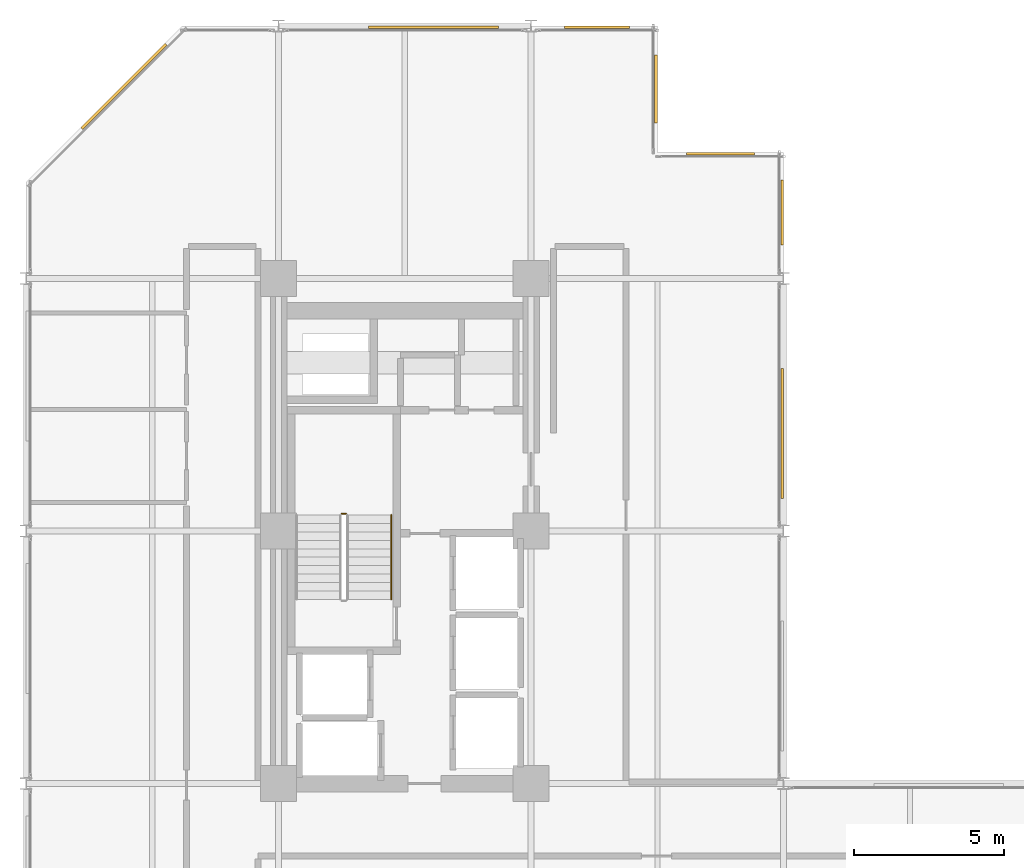
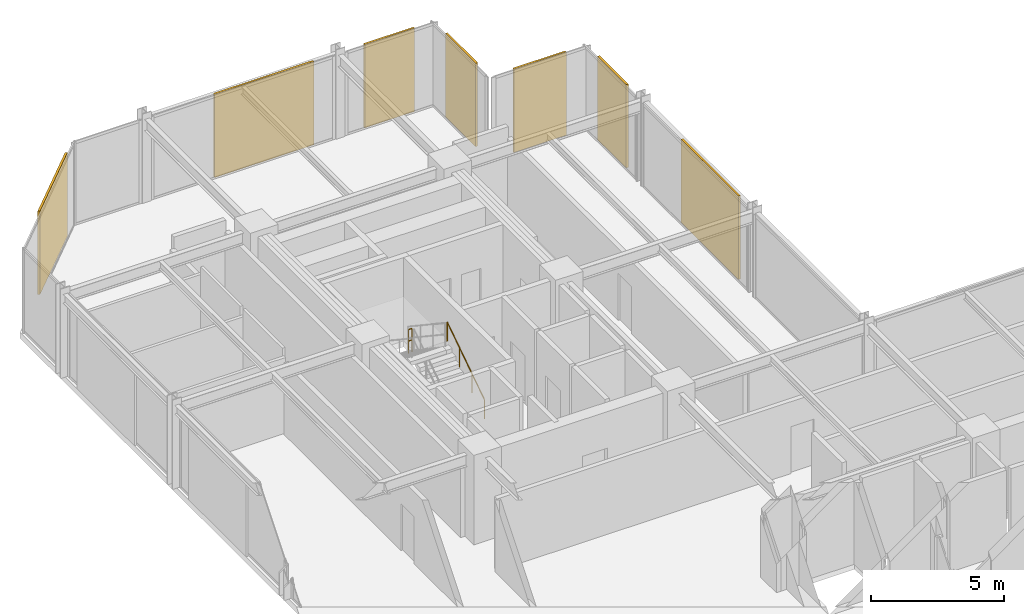
# One storey, part 38 of 38: 7 coverings, 2 railings.
"""IFC4 building model written with IfcOpenShell, lengths in metres."""

from ifc_helpers import new_model, si_unit, direction, frame, origin, origin_2d, place, context, subcontext, project, spatial, rectangle, circle, extrude, material, layer, layer_set, type_object, element, save


model = new_model("IFC4")

# Units and contexts
model_context = context("Model", 3, precision=1e-05, world=origin(), true_north=direction((0.0, 1.0)))
body_context = subcontext(model_context, "Body", "Model", "MODEL_VIEW")
ifc_project = project(units=[si_unit("LENGTHUNIT", "METRE"), si_unit("AREAUNIT", "SQUARE_METRE"), si_unit("VOLUMEUNIT", "CUBIC_METRE"), si_unit("PLANEANGLEUNIT", "RADIAN"), si_unit("MASSUNIT", "GRAM", prefix="KILO")], contexts=[model_context])

# Site, building, storey
site_placement = place(None, origin())
site = spatial("IfcSite", under=ifc_project, at=site_placement, CompositionType="ELEMENT")
building_placement = place(site_placement, origin())
building = spatial("IfcBuilding", under=site, at=building_placement, Name="Nerrivon Quay Data Exchange", CompositionType="ELEMENT")
storey_placement = place(building_placement, frame((0.0, 0.0, 100.800048828125)))
storey = spatial("IfcBuildingStorey", under=building, at=storey_placement, Name="L23", CompositionType="ELEMENT", Elevation=100.800048828125)

# Coverings
ifc_material_1 = material(Name="Architectural terracotta ceramic", Category="masonry")
ifc_layer = layer(ifc_material_1, 0.090087890625)
ifc_layer_set = layer_set([ifc_layer], Name="Architectural terracotta ceramic")
covering_type = type_object("IfcCoveringType", Name="COV-SCR-TERR", PredefinedType="CLADDING", material=ifc_layer_set)
covering_1_placement = place(storey_placement, frame((3.255859375, 48.39208984375, 0.0), z_axis=(0.0, 0.0, 1.0), x_axis=(0.707106781187, 0.707106781187, 0.0)))
element("IfcCovering", 1, at=covering_1_placement, inside=storey, type_object=covering_type, Name="L23 Perforated Terracotta SOLAR SCREEN Cassette", PredefinedType="CLADDING", context=body_context, shape_type="SweptSolid", body=[
    extrude(rectangle(XDim=3.970947265625, YDim=0.090087890625, at=origin_2d()), origin(), (0.0, 0.0, 1.0), 3.824951171875),
])
covering_2_placement = place(storey_placement, frame((13.56005859375, 50.35498046875, 0.0), z_axis=(0.0, 0.0, 1.0), x_axis=(1.0, 0.0, 0.0)))
element("IfcCovering", 2, at=covering_2_placement, inside=storey, type_object=covering_type, Name="L23 Perforated Terracotta SOLAR SCREEN Cassette", PredefinedType="CLADDING", context=body_context, shape_type="SweptSolid", body=[
    extrude(rectangle(XDim=4.320068359375, YDim=0.090087890625, at=origin_2d()), origin(), (0.0, 0.0, 1.0), 3.824951171875),
])
covering_3_placement = place(storey_placement, frame((19.0, 50.35498046875, 0.0), z_axis=(0.0, 0.0, 1.0), x_axis=(1.0, 0.0, 0.0)))
element("IfcCovering", 3, at=covering_3_placement, inside=storey, type_object=covering_type, Name="L23 Perforated Terracotta SOLAR SCREEN Cassette", PredefinedType="CLADDING", context=body_context, shape_type="SweptSolid", body=[
    extrude(rectangle(XDim=2.159912109375, YDim=0.090087890625, at=origin_2d()), origin(), (0.0, 0.0, 1.0), 3.824951171875),
])
for number, where, z_axis, x_axis, name in (
    (4, (20.955078125, 48.300048828125, 0.0), (0.0, 0.0, 1.0), (0.0, -1.0, 0.0), "L23 Perforated Terracotta SOLAR SCREEN Cassette"),
    (5, (23.10009765625, 46.155029296875, 0.0), (0.0, 0.0, 1.0), (1.0, 0.0, 0.0), "L23 Perforated Terracotta SOLAR SCREEN Cassette"),
):
    element("IfcCovering", number, at=place(storey_placement, frame(where, z_axis=z_axis, x_axis=x_axis)), inside=storey, type_object=covering_type, Name=name, PredefinedType="CLADDING", context=body_context, shape_type="SweptSolid", body=[
        extrude(rectangle(XDim=2.26806640625, YDim=0.090087890625, at=origin_2d()), origin(), (0.0, 0.0, 1.0), 3.824951171875),
    ])
covering_4_placement = place(storey_placement, frame((25.155029296875, 44.199951171875, 0.0), z_axis=(0.0, 0.0, 1.0), x_axis=(0.0, -1.0, 0.0)))
element("IfcCovering", 6, at=covering_4_placement, inside=storey, type_object=covering_type, Name="L23 Perforated Terracotta SOLAR SCREEN Cassette", PredefinedType="CLADDING", context=body_context, shape_type="SweptSolid", body=[
    extrude(rectangle(XDim=2.159912109375, YDim=0.090087890625, at=origin_2d()), origin(), (0.0, 0.0, 1.0), 3.824951171875),
])
covering_5_placement = place(storey_placement, frame((25.155029296875, 36.840087890625, 0.0), z_axis=(0.0, 0.0, 1.0), x_axis=(0.0, -1.0, 0.0)))
element("IfcCovering", 7, at=covering_5_placement, inside=storey, type_object=covering_type, Name="L23 Perforated Terracotta SOLAR SCREEN Cassette", PredefinedType="CLADDING", context=body_context, shape_type="SweptSolid", body=[
    extrude(rectangle(XDim=4.320068359375, YDim=0.090087890625, at=origin_2d()), origin(), (0.0, 0.0, 1.0), 3.824951171875),
])

# Railings
ifc_material_2 = material(Name="Steel Grade C350L0 (350 MPa)", Category="steel")
railing_type_1 = type_object("IfcRailingType", Name="RAIL-HAND-HR1", PredefinedType="HANDRAIL", material=ifc_material_2)
railing_1_placement = place(storey_placement, frame((12.14990234375, 31.330078125, 0.186279296875)))
element("IfcRailing", 8, at=railing_1_placement, inside=storey, type_object=railing_type_1, Name="L23 ST01 stair handrail 1", PredefinedType="HANDRAIL", context=body_context, shape_type="SweptSolid", body=[
    extrude(circle(Radius=0.02392578125, at=origin_2d()), frame((0.0, 0.0, 0.8759765625), z_axis=(0.0, 0.832429786209, 0.554130536094), x_axis=(-1.0, 0.0, 0.0)), (0.0, 0.0, 1.0), 3.363525390625),
    extrude(circle(Radius=0.02099609375, at=origin_2d()), origin(), (0.0, 0.0, 1.0), 0.851806640625),
    extrude(circle(Radius=0.02099609375, at=origin_2d()), frame((0.0, 0.933349609375, 0.621337890625)), (0.0, 0.0, 1.0), 0.851806640625),
    extrude(circle(Radius=0.02099609375, at=origin_2d()), frame((0.0, 1.866455078125, 1.242431640625)), (0.0, 0.0, 1.0), 0.851806640625),
    extrude(circle(Radius=0.02099609375, at=origin_2d()), frame((0.0, 2.7998046875, 1.86376953125)), (0.0, 0.0, 1.0), 0.851806640625),
])
railing_type_2 = type_object("IfcRailingType", Name="RAIL-STAIR-GR1", PredefinedType="BALUSTRADE", material=ifc_material_2)
railing_2_placement = place(storey_placement, frame((10.64990234375, 34.179931640625, 2.050048828125)))
element("IfcRailing", 9, at=railing_2_placement, inside=storey, type_object=railing_type_2, Name="L23 ST01 stair guard 2", PredefinedType="BALUSTRADE", context=body_context, shape_type="SweptSolid", body=[
    extrude(circle(Radius=0.02392578125, at=origin_2d()), frame((0.0, 0.0, 1.076171875), z_axis=(-1.0, 0.0, 0.0), x_axis=(0.0, -1.0, 0.0)), (0.0, 0.0, 1.0), 0.14990234375),
    extrude(circle(Radius=0.02392578125, at=origin_2d()), frame((0.0, 0.0, 0.550048828125), z_axis=(-1.0, 0.0, 0.0), x_axis=(0.0, -1.0, 0.0)), (0.0, 0.0, 1.0), 0.14990234375),
    extrude(circle(Radius=0.02099609375, at=origin_2d()), origin(), (0.0, 0.0, 1.0), 1.052001953125),
    extrude(circle(Radius=0.02099609375, at=origin_2d()), frame((-0.14990234375, 0.0, 0.0)), (0.0, 0.0, 1.0), 1.052001953125),
])

save(model, "model.ifc")
